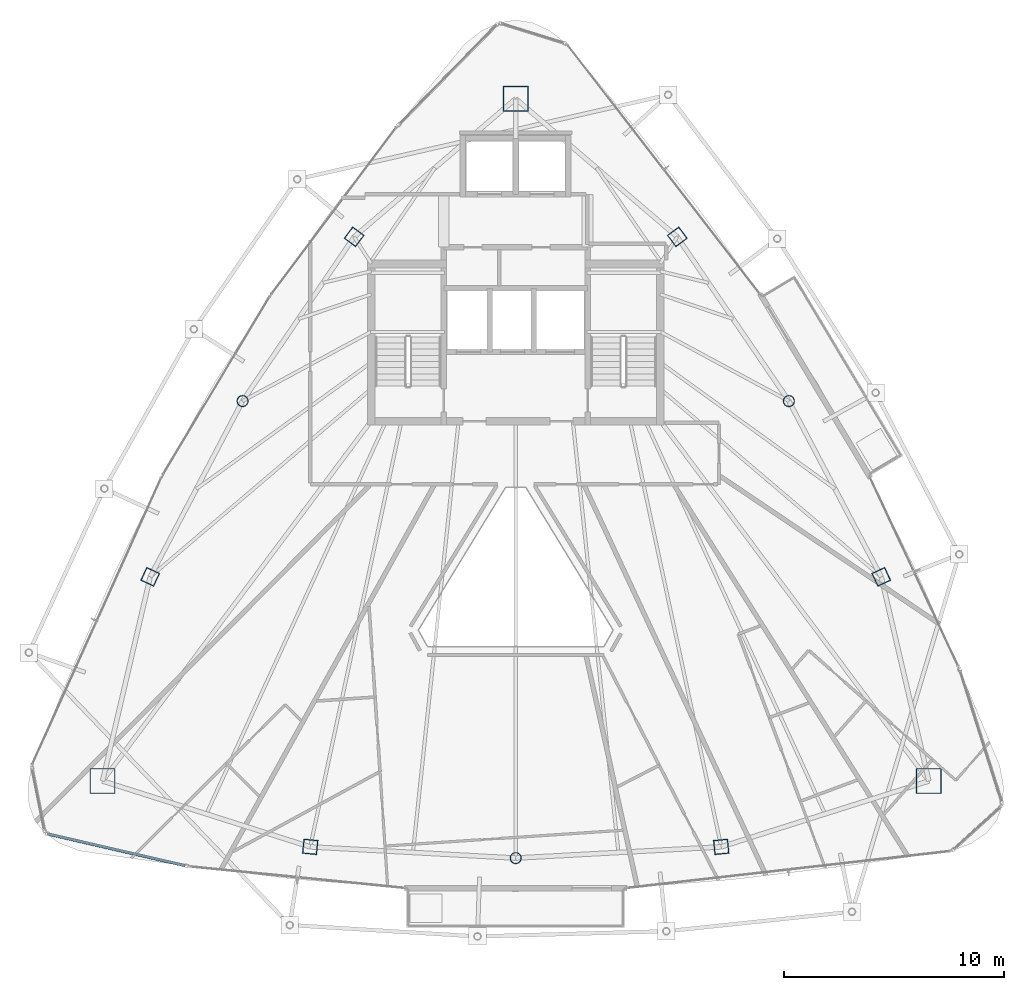
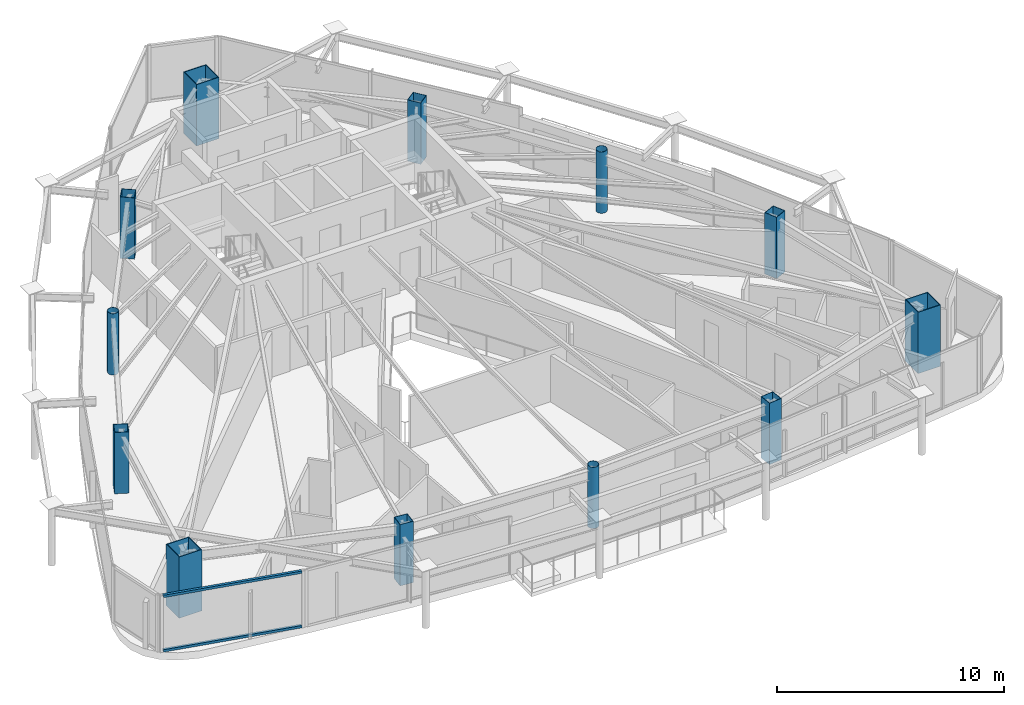
# One storey, part 1 of 29: 12 columns, 2 members, 1 element without a shape of its own.
"""IFC4 building model written with IfcOpenShell, lengths in metres."""

from ifc_helpers import new_model, si_unit, direction, frame, origin, origin_2d, place, context, subcontext, project, spatial, hollow_rectangle, hollow_circle, extrude, material, layer, layer_set, material_profile, profile_set, type_object, element, aggregate, save


model = new_model("IFC4")

# Units and contexts
model_context = context("Model", 3, precision=1e-05, world=origin(), true_north=direction((0.0, 1.0)))
body_context = subcontext(model_context, "Body", "Model", "MODEL_VIEW")
ifc_project = project(units=[si_unit("LENGTHUNIT", "METRE"), si_unit("AREAUNIT", "SQUARE_METRE"), si_unit("VOLUMEUNIT", "CUBIC_METRE"), si_unit("PLANEANGLEUNIT", "RADIAN"), si_unit("MASSUNIT", "GRAM", prefix="KILO")], contexts=[model_context])

# Site, building, storey
site_placement = place(None, origin())
site = spatial("IfcSite", under=ifc_project, at=site_placement, CompositionType="ELEMENT")
building_placement = place(site_placement, origin())
building = spatial("IfcBuilding", under=site, at=building_placement, Name="Orvanel Arch Residences", CompositionType="ELEMENT")
storey_placement = place(building_placement, frame((0.0, 0.0, 256.85009765625)))
storey = spatial("IfcBuildingStorey", under=building, at=storey_placement, Name="L73", CompositionType="ELEMENT", Elevation=256.85009765625)

# Columns
ifc_material_1 = material(Name="Structural steel AS/NZS 1163 C350L0 (Grade 350)", Category="steel")
ifc_material_profile_1 = material_profile(ifc_material_1, hollow_circle(Radius=0.25390625, WallThickness=0.01611328125, at=origin_2d()), Name="CHS508x16")
ifc_profile_set_1 = profile_set([ifc_material_profile_1], Name="Structural steel AS/NZS 1163 C350L0 (Grade 350)")
column_type_1 = type_object("IfcColumnType", Name="CC-508", PredefinedType="COLUMN", material=ifc_profile_set_1)
for number, where, z_axis, x_axis, name in (
    (1, (20.569091796875, 27.64111328125, 0.0), (0.0, 0.0, 1.0), (1.0, 0.0, 0.0), "L73 High-Rise Tube Column 02"),
    (2, (33.0, 6.843994140625, 0.0), (0.0, 0.0, 1.0), (1.0, 0.0, 0.0), "L73 High-Rise Tube Column 05"),
    (3, (45.430908203125, 27.64111328125, 0.0), (0.0, 0.0, 1.0), (1.0, 0.0, 0.0), "L73 High-Rise Tube Column 08"),
):
    element("IfcColumn", number, at=place(storey_placement, frame(where, z_axis=z_axis, x_axis=x_axis)), inside=storey, type_object=column_type_1, Name=name, PredefinedType="COLUMN", context=body_context, shape_type="SweptSolid", body=[
        extrude(hollow_circle(Radius=0.25390625, WallThickness=0.01611328125, at=origin_2d()), origin(), (0.0, 0.0, 1.0), 3.2998046875),
    ])
ifc_material_2 = material(Name="Structural steel AS/NZS 3678 Grade 450", Category="steel")
ifc_material_profile_2 = material_profile(ifc_material_2, hollow_rectangle(XDim=1.14990234375, YDim=1.14990234375, WallThickness=0.035888671875, at=origin_2d()), Name="BOX1150x1150x36")
ifc_profile_set_2 = profile_set([ifc_material_profile_2], Name="Structural steel AS/NZS 3678 Grade 450")
column_type_2 = type_object("IfcColumnType", Name="MC-1150", PredefinedType="COLUMN", material=ifc_profile_set_2)
for number, where, z_axis, x_axis, name in (
    (4, (33.0, 41.39794921875, 0.0), (0.0, 0.0, 1.0), (1.0, 0.0, 0.0), "L73 Corner Mega-Column 1"),
    (5, (14.198974609375, 10.35107421875, 0.0), (0.0, 0.0, 1.0), (1.0, 0.0, 0.0), "L73 Corner Mega-Column 2"),
    (6, (51.801025390625, 10.35107421875, 0.0), (0.0, 0.0, 1.0), (1.0, 0.0, 0.0), "L73 Corner Mega-Column 3"),
):
    element("IfcColumn", number, at=place(storey_placement, frame(where, z_axis=z_axis, x_axis=x_axis)), inside=storey, type_object=column_type_2, Name=name, PredefinedType="COLUMN", context=body_context, shape_type="SweptSolid", body=[
        extrude(hollow_rectangle(XDim=1.14990234375, YDim=1.14990234375, WallThickness=0.035888671875, at=origin_2d()), origin(), (0.0, 0.0, 1.0), 3.2998046875),
    ])
ifc_material_3 = material(Name="Structural steel AS/NZS 3678 Grade 350", Category="steel")
ifc_material_profile_3 = material_profile(ifc_material_3, hollow_rectangle(XDim=0.64990234375, YDim=0.64990234375, WallThickness=0.02197265625, at=origin_2d()), Name="BOX650x650x22")
ifc_profile_set_3 = profile_set([ifc_material_profile_3], Name="Structural steel AS/NZS 3678 Grade 350")
column_type_3 = type_object("IfcColumnType", Name="TC-650", PredefinedType="COLUMN", material=ifc_profile_set_3)
for number, where, z_axis, x_axis, name in (
    (7, (25.64794921875, 35.113037109375, 0.0), (0.0, 0.0, 1.0), (0.600420225326, 0.799684658487, 0.0), "L73 High-Rise Tube Column 01"),
    (8, (16.366943359375, 19.64208984375, 0.0), (0.0, 0.0, 1.0), (0.422618261741, 0.906307787037, 0.0), "L73 High-Rise Tube Column 03"),
    (9, (23.64892578125, 7.35498046875, 0.0), (0.0, 0.0, 1.0), (-0.994880708829, 0.101056297183, 0.0), "L73 High-Rise Tube Column 04"),
    (10, (42.35107421875, 7.35498046875, 0.0), (0.0, 0.0, 1.0), (0.994880708829, 0.101056297183, 0.0), "L73 High-Rise Tube Column 06"),
    (11, (49.633056640625, 19.64208984375, 0.0), (0.0, 0.0, 1.0), (-0.422618261741, 0.906307787037, 0.0), "L73 High-Rise Tube Column 07"),
    (12, (40.35205078125, 35.113037109375, 0.0), (0.0, 0.0, 1.0), (-0.600420225326, 0.799684658487, 0.0), "L73 High-Rise Tube Column 09"),
):
    element("IfcColumn", number, at=place(storey_placement, frame(where, z_axis=z_axis, x_axis=x_axis)), inside=storey, type_object=column_type_3, Name=name, PredefinedType="COLUMN", context=body_context, shape_type="SweptSolid", body=[
        extrude(hollow_rectangle(XDim=0.64990234375, YDim=0.64990234375, WallThickness=0.02197265625, at=origin_2d()), origin(), (0.0, 0.0, 1.0), 3.2998046875),
    ])

# Curtain wall, members
ifc_material_4 = material(Name="Bronze-anodised aluminium AA6063-T6", Category="aluminium")
ifc_layer = layer(ifc_material_4, 0.18994140625)
ifc_layer_set = layer_set([ifc_layer], Name="Bronze-anodised aluminium AA6063-T6")
curtain_wall_type = type_object("IfcCurtainWallType", Name="CW5-CRN-SYS", PredefinedType="NOTDEFINED", material=ifc_layer_set)
curtain_wall_placement = place(storey_placement, origin())
curtain_wall = element("IfcCurtainWall", 13, at=curtain_wall_placement, inside=storey, type_object=curtain_wall_type, Name="L73 CW5-CRN-SYS Unitised Curtain Wall", PredefinedType="NOTDEFINED")
ifc_material_profile_4 = material_profile(ifc_material_4, hollow_rectangle(XDim=0.1298828125, YDim=0.1298828125, WallThickness=0.00439453125, at=origin_2d()), Name="ALU130x130x4.5")
ifc_profile_set_4 = profile_set([ifc_material_profile_4], Name="Bronze-anodised aluminium AA6063-T6")
member_type = type_object("IfcMemberType", Name="TRN-130x130", PredefinedType="USERDEFINED", material=ifc_profile_set_4)
member_1_placement = place(storey_placement, frame((11.740234375, 7.935302734375, 0.06494140625), z_axis=(0.974386677331, -0.224879085378, 0.0), x_axis=(0.224879085378, 0.974386677331, 0.0)))
member_1 = element("IfcMember", 14, at=member_1_placement, type_object=member_type, Name="CW-S5 transom 1.1", ObjectType="TRANSOM", PredefinedType="USERDEFINED", context=body_context, shape_type="SweptSolid", body=[
    extrude(hollow_rectangle(XDim=0.1298828125, YDim=0.1298828125, WallThickness=0.00439453125, at=origin_2d()), origin(), (0.0, 0.0, 1.0), 6.375),
])
member_2_placement = place(storey_placement, frame((11.740234375, 7.935302734375, 2.994873046875), z_axis=(0.974386677331, -0.224879085378, 0.0), x_axis=(0.224879085378, 0.974386677331, 0.0)))
member_2 = element("IfcMember", 15, at=member_2_placement, type_object=member_type, Name="CW-S5 transom 1.2", ObjectType="TRANSOM", PredefinedType="USERDEFINED", context=body_context, shape_type="SweptSolid", body=[
    extrude(hollow_rectangle(XDim=0.1298828125, YDim=0.1298828125, WallThickness=0.00439453125, at=origin_2d()), origin(), (0.0, 0.0, 1.0), 6.375),
])
aggregate(curtain_wall, [member_1, member_2])

save(model, "model.ifc")
